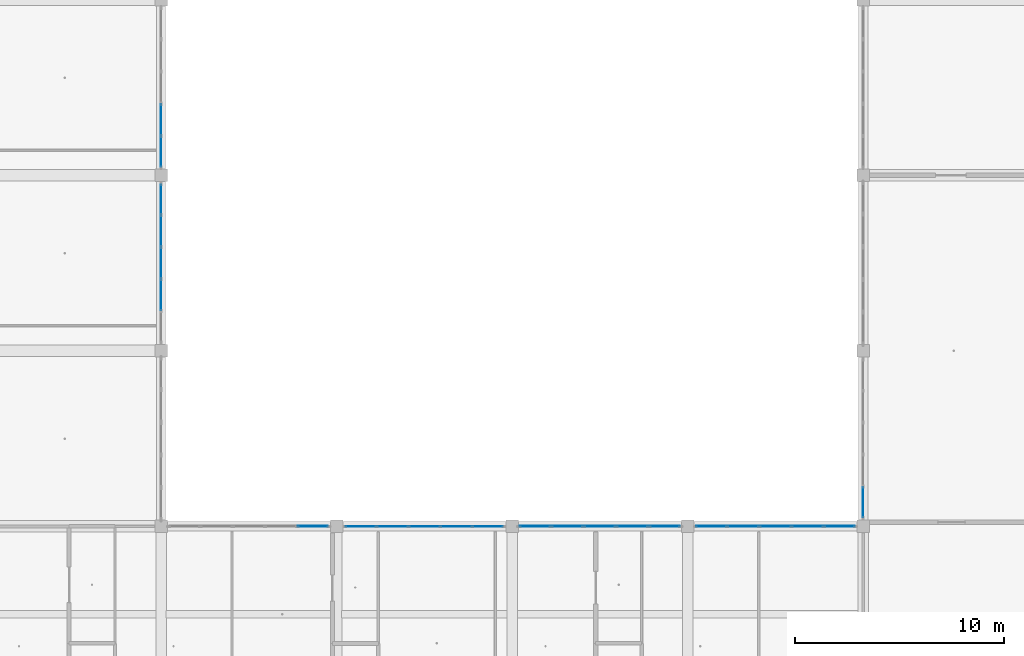
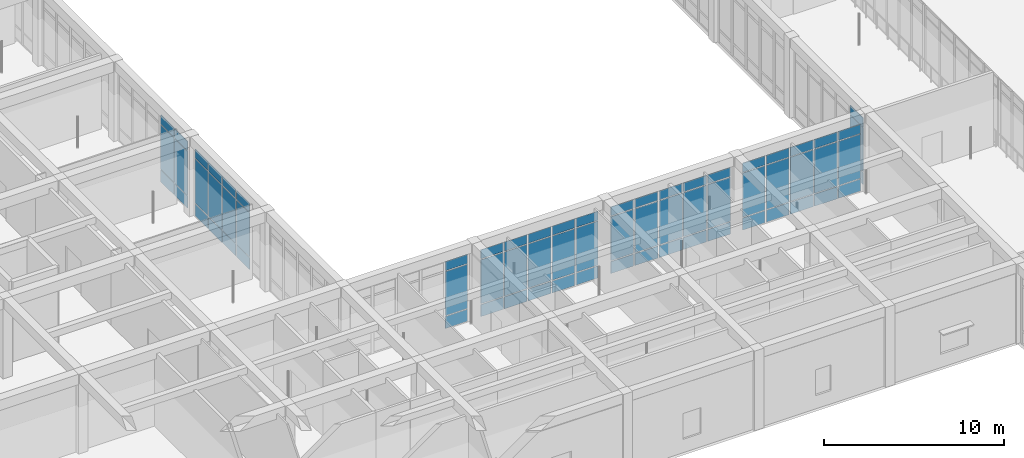
# One storey, part 56 of 157: 69 plates, 7 elements without a shape of their own.
"""IFC4 building model written with IfcOpenShell, lengths in metres."""

from ifc_helpers import new_model, si_unit, direction, frame, origin, origin_2d, place, context, subcontext, project, spatial, rectangle, extrude, material, layer, layer_set, type_object, element, aggregate, save


model = new_model("IFC4")

# Units and contexts
model_context = context("Model", 3, precision=1e-05, world=origin(), true_north=direction((0.0, 1.0)))
body_context = subcontext(model_context, "Body", "Model", "MODEL_VIEW")
ifc_project = project(units=[si_unit("LENGTHUNIT", "METRE"), si_unit("AREAUNIT", "SQUARE_METRE"), si_unit("VOLUMEUNIT", "CUBIC_METRE"), si_unit("PLANEANGLEUNIT", "RADIAN"), si_unit("MASSUNIT", "GRAM", prefix="KILO")], contexts=[model_context])

# Site, building, storey
site_placement = place(None, origin())
site = spatial("IfcSite", under=ifc_project, at=site_placement, CompositionType="ELEMENT")
building_placement = place(site_placement, origin())
building = spatial("IfcBuilding", under=site, at=building_placement, Name="Varncliffe General Hospital", CompositionType="ELEMENT")
storey_placement = place(building_placement, frame((0.0, 0.0, 5.39990234375)))
storey = spatial("IfcBuildingStorey", under=building, at=storey_placement, Name="L01", CompositionType="ELEMENT", Elevation=5.39990234375)

# Curtain wall, plates
ifc_material = material(Name="Triple low-E argon insulated vision glazing", Category="glass")
curtain_wall_type_1 = type_object("IfcCurtainWallType", Name="Unitised Glazed Curtain Wall CW70 (7724x4640)", PredefinedType="USERDEFINED", material=ifc_material)
curtain_wall_1_placement = place(storey_placement, origin())
curtain_wall_1 = element("IfcCurtainWall", 1, at=curtain_wall_1_placement, inside=storey, type_object=curtain_wall_type_1, Name="L01 Glazed Curtain Wall CW70-79", ObjectType="GLAZED CURTAIN WALL", PredefinedType="USERDEFINED")
ifc_layer_1 = layer(ifc_material, 0.0439453125)
ifc_layer_set_1 = layer_set([ifc_layer_1], Name="Triple low-E argon insulated vision glazing")
plate_type_1 = type_object("IfcPlateType", Name="Curtain Wall Glazing Panel CP12 (44mm)", PredefinedType="CURTAIN_PANEL", material=ifc_layer_set_1)
plate_1_placement = place(storey_placement, frame((25.199951171875, 60.255126953125, 0.06005859375), z_axis=(0.0, 0.0, 1.0), x_axis=(0.0, -1.0, 0.0)))
plate_1 = element("IfcPlate", 2, at=plate_1_placement, type_object=plate_type_1, Name="CW70 panel 4.1", PredefinedType="CURTAIN_PANEL", context=body_context, shape_type="SweptSolid", body=[
    extrude(rectangle(XDim=1.4697265625, YDim=0.0439453125, at=origin_2d()), origin(), (0.0, 0.0, 1.0), 0.81005859375),
])
plate_2_placement = place(storey_placement, frame((25.199951171875, 60.255126953125, 0.93017578125), z_axis=(0.0, 0.0, 1.0), x_axis=(0.0, -1.0, 0.0)))
plate_2 = element("IfcPlate", 3, at=plate_2_placement, type_object=plate_type_1, Name="CW70 panel 4.2", PredefinedType="CURTAIN_PANEL", context=body_context, shape_type="SweptSolid", body=[
    extrude(rectangle(XDim=1.4697265625, YDim=0.0439453125, at=origin_2d()), origin(), (0.0, 0.0, 1.0), 2.97998046875),
])
plate_3_placement = place(storey_placement, frame((25.199951171875, 60.255126953125, 3.97021484375), z_axis=(0.0, 0.0, 1.0), x_axis=(0.0, -1.0, 0.0)))
plate_3 = element("IfcPlate", 4, at=plate_3_placement, type_object=plate_type_1, Name="CW70 panel 4.3", PredefinedType="CURTAIN_PANEL", context=body_context, shape_type="SweptSolid", body=[
    extrude(rectangle(XDim=1.4697265625, YDim=0.0439453125, at=origin_2d()), origin(), (0.0, 0.0, 1.0), 0.610107421875),
])
plate_4_placement = place(storey_placement, frame((25.199951171875, 58.729248046875, 0.06005859375), z_axis=(0.0, 0.0, 1.0), x_axis=(0.0, -1.0, 0.0)))
plate_4 = element("IfcPlate", 5, at=plate_4_placement, type_object=plate_type_1, Name="CW70 panel 5.1", PredefinedType="CURTAIN_PANEL", context=body_context, shape_type="SweptSolid", body=[
    extrude(rectangle(XDim=1.432373046875, YDim=0.0439453125, at=origin_2d()), origin(), (0.0, 0.0, 1.0), 0.81005859375),
])
plate_5_placement = place(storey_placement, frame((25.199951171875, 58.729248046875, 0.93017578125), z_axis=(0.0, 0.0, 1.0), x_axis=(0.0, -1.0, 0.0)))
plate_5 = element("IfcPlate", 6, at=plate_5_placement, type_object=plate_type_1, Name="CW70 panel 5.2", PredefinedType="CURTAIN_PANEL", context=body_context, shape_type="SweptSolid", body=[
    extrude(rectangle(XDim=1.432373046875, YDim=0.0439453125, at=origin_2d()), origin(), (0.0, 0.0, 1.0), 2.97998046875),
])
plate_6_placement = place(storey_placement, frame((25.199951171875, 58.729248046875, 3.97021484375), z_axis=(0.0, 0.0, 1.0), x_axis=(0.0, -1.0, 0.0)))
plate_6 = element("IfcPlate", 7, at=plate_6_placement, type_object=plate_type_1, Name="CW70 panel 5.3", PredefinedType="CURTAIN_PANEL", context=body_context, shape_type="SweptSolid", body=[
    extrude(rectangle(XDim=1.432373046875, YDim=0.0439453125, at=origin_2d()), origin(), (0.0, 0.0, 1.0), 0.610107421875),
])
aggregate(curtain_wall_1, [plate_1, plate_2, plate_3, plate_4, plate_5, plate_6])

curtain_wall_2_placement = place(storey_placement, origin())
curtain_wall_2 = element("IfcCurtainWall", 8, at=curtain_wall_2_placement, inside=storey, type_object=curtain_wall_type_1, Name="L01 Glazed Curtain Wall CW70-82", ObjectType="GLAZED CURTAIN WALL", PredefinedType="USERDEFINED")
plate_7_placement = place(storey_placement, frame((32.470947265625, 40.800048828125, 0.06005859375), z_axis=(0.0, 0.0, 1.0), x_axis=(1.0, 0.0, 0.0)))
plate_7 = element("IfcPlate", 9, at=plate_7_placement, type_object=plate_type_1, Name="CW70 panel 5.1", PredefinedType="CURTAIN_PANEL", context=body_context, shape_type="SweptSolid", body=[
    extrude(rectangle(XDim=1.432373046875, YDim=0.0439453125, at=origin_2d()), origin(), (0.0, 0.0, 1.0), 0.81005859375),
])
plate_8_placement = place(storey_placement, frame((32.470947265625, 40.800048828125, 0.93017578125), z_axis=(0.0, 0.0, 1.0), x_axis=(1.0, 0.0, 0.0)))
plate_8 = element("IfcPlate", 10, at=plate_8_placement, type_object=plate_type_1, Name="CW70 panel 5.2", PredefinedType="CURTAIN_PANEL", context=body_context, shape_type="SweptSolid", body=[
    extrude(rectangle(XDim=1.432373046875, YDim=0.0439453125, at=origin_2d()), origin(), (0.0, 0.0, 1.0), 2.97998046875),
])
plate_9_placement = place(storey_placement, frame((32.470947265625, 40.800048828125, 3.97021484375), z_axis=(0.0, 0.0, 1.0), x_axis=(1.0, 0.0, 0.0)))
plate_9 = element("IfcPlate", 11, at=plate_9_placement, type_object=plate_type_1, Name="CW70 panel 5.3", PredefinedType="CURTAIN_PANEL", context=body_context, shape_type="SweptSolid", body=[
    extrude(rectangle(XDim=1.432373046875, YDim=0.0439453125, at=origin_2d()), origin(), (0.0, 0.0, 1.0), 0.610107421875),
])
aggregate(curtain_wall_2, [plate_7, plate_8, plate_9])

curtain_wall_3_placement = place(storey_placement, origin())
curtain_wall_3 = element("IfcCurtainWall", 12, at=curtain_wall_3_placement, inside=storey, type_object=curtain_wall_type_1, Name="L01 Glazed Curtain Wall CW70-85", ObjectType="GLAZED CURTAIN WALL", PredefinedType="USERDEFINED")
plate_10_placement = place(storey_placement, frame((51.529052734375, 40.800048828125, 0.06005859375), z_axis=(0.0, 0.0, 1.0), x_axis=(1.0, 0.0, 0.0)))
plate_10 = element("IfcPlate", 13, at=plate_10_placement, type_object=plate_type_1, Name="CW70 panel 1.1", PredefinedType="CURTAIN_PANEL", context=body_context, shape_type="SweptSolid", body=[
    extrude(rectangle(XDim=1.432373046875, YDim=0.0439453125, at=origin_2d()), origin(), (0.0, 0.0, 1.0), 0.81005859375),
])
plate_11_placement = place(storey_placement, frame((51.529052734375, 40.800048828125, 0.93017578125), z_axis=(0.0, 0.0, 1.0), x_axis=(1.0, 0.0, 0.0)))
plate_11 = element("IfcPlate", 14, at=plate_11_placement, type_object=plate_type_1, Name="CW70 panel 1.2", PredefinedType="CURTAIN_PANEL", context=body_context, shape_type="SweptSolid", body=[
    extrude(rectangle(XDim=1.432373046875, YDim=0.0439453125, at=origin_2d()), origin(), (0.0, 0.0, 1.0), 2.97998046875),
])
plate_12_placement = place(storey_placement, frame((51.529052734375, 40.800048828125, 3.97021484375), z_axis=(0.0, 0.0, 1.0), x_axis=(1.0, 0.0, 0.0)))
plate_12 = element("IfcPlate", 15, at=plate_12_placement, type_object=plate_type_1, Name="CW70 panel 1.3", PredefinedType="CURTAIN_PANEL", context=body_context, shape_type="SweptSolid", body=[
    extrude(rectangle(XDim=1.432373046875, YDim=0.0439453125, at=origin_2d()), origin(), (0.0, 0.0, 1.0), 0.610107421875),
])
plate_13_placement = place(storey_placement, frame((53.05517578125, 40.800048828125, 0.06005859375), z_axis=(0.0, 0.0, 1.0), x_axis=(1.0, 0.0, 0.0)))
plate_13 = element("IfcPlate", 16, at=plate_13_placement, type_object=plate_type_1, Name="CW70 panel 2.1", PredefinedType="CURTAIN_PANEL", context=body_context, shape_type="SweptSolid", body=[
    extrude(rectangle(XDim=1.4697265625, YDim=0.0439453125, at=origin_2d()), origin(), (0.0, 0.0, 1.0), 0.81005859375),
])
plate_14_placement = place(storey_placement, frame((53.05517578125, 40.800048828125, 0.93017578125), z_axis=(0.0, 0.0, 1.0), x_axis=(1.0, 0.0, 0.0)))
plate_14 = element("IfcPlate", 17, at=plate_14_placement, type_object=plate_type_1, Name="CW70 panel 2.2", PredefinedType="CURTAIN_PANEL", context=body_context, shape_type="SweptSolid", body=[
    extrude(rectangle(XDim=1.4697265625, YDim=0.0439453125, at=origin_2d()), origin(), (0.0, 0.0, 1.0), 2.97998046875),
])
plate_15_placement = place(storey_placement, frame((53.05517578125, 40.800048828125, 3.97021484375), z_axis=(0.0, 0.0, 1.0), x_axis=(1.0, 0.0, 0.0)))
plate_15 = element("IfcPlate", 18, at=plate_15_placement, type_object=plate_type_1, Name="CW70 panel 2.3", PredefinedType="CURTAIN_PANEL", context=body_context, shape_type="SweptSolid", body=[
    extrude(rectangle(XDim=1.4697265625, YDim=0.0439453125, at=origin_2d()), origin(), (0.0, 0.0, 1.0), 0.610107421875),
])
plate_16_placement = place(storey_placement, frame((54.60009765625, 40.800048828125, 0.06005859375), z_axis=(0.0, 0.0, 1.0), x_axis=(1.0, 0.0, 0.0)))
plate_16 = element("IfcPlate", 19, at=plate_16_placement, type_object=plate_type_1, Name="CW70 panel 3.1", PredefinedType="CURTAIN_PANEL", context=body_context, shape_type="SweptSolid", body=[
    extrude(rectangle(XDim=1.4697265625, YDim=0.0439453125, at=origin_2d()), origin(), (0.0, 0.0, 1.0), 0.81005859375),
])
plate_17_placement = place(storey_placement, frame((54.60009765625, 40.800048828125, 0.93017578125), z_axis=(0.0, 0.0, 1.0), x_axis=(1.0, 0.0, 0.0)))
plate_17 = element("IfcPlate", 20, at=plate_17_placement, type_object=plate_type_1, Name="CW70 panel 3.2", PredefinedType="CURTAIN_PANEL", context=body_context, shape_type="SweptSolid", body=[
    extrude(rectangle(XDim=1.4697265625, YDim=0.0439453125, at=origin_2d()), origin(), (0.0, 0.0, 1.0), 2.97998046875),
])
plate_18_placement = place(storey_placement, frame((54.60009765625, 40.800048828125, 3.97021484375), z_axis=(0.0, 0.0, 1.0), x_axis=(1.0, 0.0, 0.0)))
plate_18 = element("IfcPlate", 21, at=plate_18_placement, type_object=plate_type_1, Name="CW70 panel 3.3", PredefinedType="CURTAIN_PANEL", context=body_context, shape_type="SweptSolid", body=[
    extrude(rectangle(XDim=1.4697265625, YDim=0.0439453125, at=origin_2d()), origin(), (0.0, 0.0, 1.0), 0.610107421875),
])
plate_19_placement = place(storey_placement, frame((56.144775390625, 40.800048828125, 0.06005859375), z_axis=(0.0, 0.0, 1.0), x_axis=(1.0, 0.0, 0.0)))
plate_19 = element("IfcPlate", 22, at=plate_19_placement, type_object=plate_type_1, Name="CW70 panel 4.1", PredefinedType="CURTAIN_PANEL", context=body_context, shape_type="SweptSolid", body=[
    extrude(rectangle(XDim=1.4697265625, YDim=0.0439453125, at=origin_2d()), origin(), (0.0, 0.0, 1.0), 0.81005859375),
])
plate_20_placement = place(storey_placement, frame((56.144775390625, 40.800048828125, 0.93017578125), z_axis=(0.0, 0.0, 1.0), x_axis=(1.0, 0.0, 0.0)))
plate_20 = element("IfcPlate", 23, at=plate_20_placement, type_object=plate_type_1, Name="CW70 panel 4.2", PredefinedType="CURTAIN_PANEL", context=body_context, shape_type="SweptSolid", body=[
    extrude(rectangle(XDim=1.4697265625, YDim=0.0439453125, at=origin_2d()), origin(), (0.0, 0.0, 1.0), 2.97998046875),
])
plate_21_placement = place(storey_placement, frame((56.144775390625, 40.800048828125, 3.97021484375), z_axis=(0.0, 0.0, 1.0), x_axis=(1.0, 0.0, 0.0)))
plate_21 = element("IfcPlate", 24, at=plate_21_placement, type_object=plate_type_1, Name="CW70 panel 4.3", PredefinedType="CURTAIN_PANEL", context=body_context, shape_type="SweptSolid", body=[
    extrude(rectangle(XDim=1.4697265625, YDim=0.0439453125, at=origin_2d()), origin(), (0.0, 0.0, 1.0), 0.610107421875),
])
plate_22_placement = place(storey_placement, frame((57.6708984375, 40.800048828125, 0.06005859375), z_axis=(0.0, 0.0, 1.0), x_axis=(1.0, 0.0, 0.0)))
plate_22 = element("IfcPlate", 25, at=plate_22_placement, type_object=plate_type_1, Name="CW70 panel 5.1", PredefinedType="CURTAIN_PANEL", context=body_context, shape_type="SweptSolid", body=[
    extrude(rectangle(XDim=1.432373046875, YDim=0.0439453125, at=origin_2d()), origin(), (0.0, 0.0, 1.0), 0.81005859375),
])
plate_23_placement = place(storey_placement, frame((57.6708984375, 40.800048828125, 0.93017578125), z_axis=(0.0, 0.0, 1.0), x_axis=(1.0, 0.0, 0.0)))
plate_23 = element("IfcPlate", 26, at=plate_23_placement, type_object=plate_type_1, Name="CW70 panel 5.2", PredefinedType="CURTAIN_PANEL", context=body_context, shape_type="SweptSolid", body=[
    extrude(rectangle(XDim=1.432373046875, YDim=0.0439453125, at=origin_2d()), origin(), (0.0, 0.0, 1.0), 2.97998046875),
])
plate_24_placement = place(storey_placement, frame((57.6708984375, 40.800048828125, 3.97021484375), z_axis=(0.0, 0.0, 1.0), x_axis=(1.0, 0.0, 0.0)))
plate_24 = element("IfcPlate", 27, at=plate_24_placement, type_object=plate_type_1, Name="CW70 panel 5.3", PredefinedType="CURTAIN_PANEL", context=body_context, shape_type="SweptSolid", body=[
    extrude(rectangle(XDim=1.432373046875, YDim=0.0439453125, at=origin_2d()), origin(), (0.0, 0.0, 1.0), 0.610107421875),
])
aggregate(curtain_wall_3, [plate_10, plate_11, plate_12, plate_13, plate_14, plate_15, plate_16, plate_17, plate_18, plate_19, plate_20, plate_21, plate_22, plate_23, plate_24])

curtain_wall_type_2 = type_object("IfcCurtainWallType", Name="Unitised Glazed Curtain Wall CW85 (7804x4640)", PredefinedType="USERDEFINED", material=ifc_material)
curtain_wall_4_placement = place(storey_placement, origin())
curtain_wall_4 = element("IfcCurtainWall", 28, at=curtain_wall_4_placement, inside=storey, type_object=curtain_wall_type_2, Name="L01 Glazed Curtain Wall CW85-84", ObjectType="GLAZED CURTAIN WALL", PredefinedType="USERDEFINED")
ifc_layer_2 = layer(ifc_material, 0.035888671875)
ifc_layer_set_2 = layer_set([ifc_layer_2], Name="Triple low-E argon insulated vision glazing")
plate_type_2 = type_object("IfcPlateType", Name="Curtain Wall Glazing Panel CP27 (36mm)", PredefinedType="CURTAIN_PANEL", material=ifc_layer_set_2)
plate_25_placement = place(storey_placement, frame((43.09716796875, 40.800048828125, 0.06494140625), z_axis=(0.0, 0.0, 1.0), x_axis=(1.0, 0.0, 0.0)))
plate_25 = element("IfcPlate", 29, at=plate_25_placement, type_object=plate_type_2, Name="CW85 panel 1.1", PredefinedType="CURTAIN_PANEL", context=body_context, shape_type="SweptSolid", body=[
    extrude(rectangle(XDim=1.4482421875, YDim=0.035888671875, at=origin_2d()), origin(), (0.0, 0.0, 1.0), 0.802490234375),
])
plate_26_placement = place(storey_placement, frame((43.09716796875, 40.800048828125, 0.9326171875), z_axis=(0.0, 0.0, 1.0), x_axis=(1.0, 0.0, 0.0)))
plate_26 = element("IfcPlate", 30, at=plate_26_placement, type_object=plate_type_2, Name="CW85 panel 1.2", PredefinedType="CURTAIN_PANEL", context=body_context, shape_type="SweptSolid", body=[
    extrude(rectangle(XDim=1.4482421875, YDim=0.035888671875, at=origin_2d()), origin(), (0.0, 0.0, 1.0), 2.97509765625),
])
plate_27_placement = place(storey_placement, frame((43.09716796875, 40.800048828125, 3.97265625), z_axis=(0.0, 0.0, 1.0), x_axis=(1.0, 0.0, 0.0)))
plate_27 = element("IfcPlate", 31, at=plate_27_placement, type_object=plate_type_2, Name="CW85 panel 1.3", PredefinedType="CURTAIN_PANEL", context=body_context, shape_type="SweptSolid", body=[
    extrude(rectangle(XDim=1.4482421875, YDim=0.035888671875, at=origin_2d()), origin(), (0.0, 0.0, 1.0), 0.6025390625),
])
plate_28_placement = place(storey_placement, frame((44.63916015625, 40.800048828125, 0.06494140625), z_axis=(0.0, 0.0, 1.0), x_axis=(1.0, 0.0, 0.0)))
plate_28 = element("IfcPlate", 32, at=plate_28_placement, type_object=plate_type_2, Name="CW85 panel 2.1", PredefinedType="CURTAIN_PANEL", context=body_context, shape_type="SweptSolid", body=[
    extrude(rectangle(XDim=1.48583984375, YDim=0.035888671875, at=origin_2d()), origin(), (0.0, 0.0, 1.0), 0.802490234375),
])
plate_29_placement = place(storey_placement, frame((44.63916015625, 40.800048828125, 0.9326171875), z_axis=(0.0, 0.0, 1.0), x_axis=(1.0, 0.0, 0.0)))
plate_29 = element("IfcPlate", 33, at=plate_29_placement, type_object=plate_type_2, Name="CW85 panel 2.2", PredefinedType="CURTAIN_PANEL", context=body_context, shape_type="SweptSolid", body=[
    extrude(rectangle(XDim=1.48583984375, YDim=0.035888671875, at=origin_2d()), origin(), (0.0, 0.0, 1.0), 2.97509765625),
])
plate_30_placement = place(storey_placement, frame((44.63916015625, 40.800048828125, 3.97265625), z_axis=(0.0, 0.0, 1.0), x_axis=(1.0, 0.0, 0.0)))
plate_30 = element("IfcPlate", 34, at=plate_30_placement, type_object=plate_type_2, Name="CW85 panel 2.3", PredefinedType="CURTAIN_PANEL", context=body_context, shape_type="SweptSolid", body=[
    extrude(rectangle(XDim=1.48583984375, YDim=0.035888671875, at=origin_2d()), origin(), (0.0, 0.0, 1.0), 0.6025390625),
])
plate_31_placement = place(storey_placement, frame((46.199951171875, 40.800048828125, 0.06494140625), z_axis=(0.0, 0.0, 1.0), x_axis=(1.0, 0.0, 0.0)))
plate_31 = element("IfcPlate", 35, at=plate_31_placement, type_object=plate_type_2, Name="CW85 panel 3.1", PredefinedType="CURTAIN_PANEL", context=body_context, shape_type="SweptSolid", body=[
    extrude(rectangle(XDim=1.48583984375, YDim=0.035888671875, at=origin_2d()), origin(), (0.0, 0.0, 1.0), 0.802490234375),
])
plate_32_placement = place(storey_placement, frame((46.199951171875, 40.800048828125, 0.9326171875), z_axis=(0.0, 0.0, 1.0), x_axis=(1.0, 0.0, 0.0)))
plate_32 = element("IfcPlate", 36, at=plate_32_placement, type_object=plate_type_2, Name="CW85 panel 3.2", PredefinedType="CURTAIN_PANEL", context=body_context, shape_type="SweptSolid", body=[
    extrude(rectangle(XDim=1.48583984375, YDim=0.035888671875, at=origin_2d()), origin(), (0.0, 0.0, 1.0), 2.97509765625),
])
plate_33_placement = place(storey_placement, frame((46.199951171875, 40.800048828125, 3.97265625), z_axis=(0.0, 0.0, 1.0), x_axis=(1.0, 0.0, 0.0)))
plate_33 = element("IfcPlate", 37, at=plate_33_placement, type_object=plate_type_2, Name="CW85 panel 3.3", PredefinedType="CURTAIN_PANEL", context=body_context, shape_type="SweptSolid", body=[
    extrude(rectangle(XDim=1.48583984375, YDim=0.035888671875, at=origin_2d()), origin(), (0.0, 0.0, 1.0), 0.6025390625),
])
plate_34_placement = place(storey_placement, frame((47.7607421875, 40.800048828125, 0.06494140625), z_axis=(0.0, 0.0, 1.0), x_axis=(1.0, 0.0, 0.0)))
plate_34 = element("IfcPlate", 38, at=plate_34_placement, type_object=plate_type_2, Name="CW85 panel 4.1", PredefinedType="CURTAIN_PANEL", context=body_context, shape_type="SweptSolid", body=[
    extrude(rectangle(XDim=1.48583984375, YDim=0.035888671875, at=origin_2d()), origin(), (0.0, 0.0, 1.0), 0.802490234375),
])
plate_35_placement = place(storey_placement, frame((47.7607421875, 40.800048828125, 0.9326171875), z_axis=(0.0, 0.0, 1.0), x_axis=(1.0, 0.0, 0.0)))
plate_35 = element("IfcPlate", 39, at=plate_35_placement, type_object=plate_type_2, Name="CW85 panel 4.2", PredefinedType="CURTAIN_PANEL", context=body_context, shape_type="SweptSolid", body=[
    extrude(rectangle(XDim=1.48583984375, YDim=0.035888671875, at=origin_2d()), origin(), (0.0, 0.0, 1.0), 2.97509765625),
])
plate_36_placement = place(storey_placement, frame((47.7607421875, 40.800048828125, 3.97265625), z_axis=(0.0, 0.0, 1.0), x_axis=(1.0, 0.0, 0.0)))
plate_36 = element("IfcPlate", 40, at=plate_36_placement, type_object=plate_type_2, Name="CW85 panel 4.3", PredefinedType="CURTAIN_PANEL", context=body_context, shape_type="SweptSolid", body=[
    extrude(rectangle(XDim=1.48583984375, YDim=0.035888671875, at=origin_2d()), origin(), (0.0, 0.0, 1.0), 0.6025390625),
])
plate_37_placement = place(storey_placement, frame((49.302734375, 40.800048828125, 0.06494140625), z_axis=(0.0, 0.0, 1.0), x_axis=(1.0, 0.0, 0.0)))
plate_37 = element("IfcPlate", 41, at=plate_37_placement, type_object=plate_type_2, Name="CW85 panel 5.1", PredefinedType="CURTAIN_PANEL", context=body_context, shape_type="SweptSolid", body=[
    extrude(rectangle(XDim=1.4482421875, YDim=0.035888671875, at=origin_2d()), origin(), (0.0, 0.0, 1.0), 0.802490234375),
])
plate_38_placement = place(storey_placement, frame((49.302734375, 40.800048828125, 0.9326171875), z_axis=(0.0, 0.0, 1.0), x_axis=(1.0, 0.0, 0.0)))
plate_38 = element("IfcPlate", 42, at=plate_38_placement, type_object=plate_type_2, Name="CW85 panel 5.2", PredefinedType="CURTAIN_PANEL", context=body_context, shape_type="SweptSolid", body=[
    extrude(rectangle(XDim=1.4482421875, YDim=0.035888671875, at=origin_2d()), origin(), (0.0, 0.0, 1.0), 2.97509765625),
])
plate_39_placement = place(storey_placement, frame((49.302734375, 40.800048828125, 3.97265625), z_axis=(0.0, 0.0, 1.0), x_axis=(1.0, 0.0, 0.0)))
plate_39 = element("IfcPlate", 43, at=plate_39_placement, type_object=plate_type_2, Name="CW85 panel 5.3", PredefinedType="CURTAIN_PANEL", context=body_context, shape_type="SweptSolid", body=[
    extrude(rectangle(XDim=1.4482421875, YDim=0.035888671875, at=origin_2d()), origin(), (0.0, 0.0, 1.0), 0.6025390625),
])
aggregate(curtain_wall_4, [plate_25, plate_26, plate_27, plate_28, plate_29, plate_30, plate_31, plate_32, plate_33, plate_34, plate_35, plate_36, plate_37, plate_38, plate_39])

curtain_wall_type_3 = type_object("IfcCurtainWallType", Name="Unitised Glazed Curtain Wall CW27 (7644x4640)", PredefinedType="USERDEFINED", material=ifc_material)
curtain_wall_5_placement = place(storey_placement, origin())
curtain_wall_5 = element("IfcCurtainWall", 44, at=curtain_wall_5_placement, inside=storey, type_object=curtain_wall_type_3, Name="L01 Glazed Curtain Wall CW27-80", ObjectType="GLAZED CURTAIN WALL", PredefinedType="USERDEFINED")
ifc_layer_3 = layer(ifc_material, 0.028076171875)
ifc_layer_set_3 = layer_set([ifc_layer_3], Name="Triple low-E argon insulated vision glazing")
plate_type_3 = type_object("IfcPlateType", Name="Curtain Wall Glazing Panel CP48 (28mm)", PredefinedType="CURTAIN_PANEL", material=ifc_layer_set_3)
plate_40_placement = place(storey_placement, frame((25.199951171875, 56.44140625, 0.06005859375), z_axis=(0.0, 0.0, 1.0), x_axis=(0.0, -1.0, 0.0)))
plate_40 = element("IfcPlate", 45, at=plate_40_placement, type_object=plate_type_3, Name="CW27 panel 1.1", PredefinedType="CURTAIN_PANEL", context=body_context, shape_type="SweptSolid", body=[
    extrude(rectangle(XDim=1.431396484375, YDim=0.028076171875, at=origin_2d()), origin(), (0.0, 0.0, 1.0), 0.81005859375),
])
plate_41_placement = place(storey_placement, frame((25.199951171875, 56.44140625, 0.93017578125), z_axis=(0.0, 0.0, 1.0), x_axis=(0.0, -1.0, 0.0)))
plate_41 = element("IfcPlate", 46, at=plate_41_placement, type_object=plate_type_3, Name="CW27 panel 1.2", PredefinedType="CURTAIN_PANEL", context=body_context, shape_type="SweptSolid", body=[
    extrude(rectangle(XDim=1.431396484375, YDim=0.028076171875, at=origin_2d()), origin(), (0.0, 0.0, 1.0), 2.97998046875),
])
plate_42_placement = place(storey_placement, frame((25.199951171875, 56.44140625, 3.97021484375), z_axis=(0.0, 0.0, 1.0), x_axis=(0.0, -1.0, 0.0)))
plate_42 = element("IfcPlate", 47, at=plate_42_placement, type_object=plate_type_3, Name="CW27 panel 1.3", PredefinedType="CURTAIN_PANEL", context=body_context, shape_type="SweptSolid", body=[
    extrude(rectangle(XDim=1.431396484375, YDim=0.028076171875, at=origin_2d()), origin(), (0.0, 0.0, 1.0), 0.610107421875),
])
plate_43_placement = place(storey_placement, frame((25.199951171875, 54.9287109375, 0.06005859375), z_axis=(0.0, 0.0, 1.0), x_axis=(0.0, -1.0, 0.0)))
plate_43 = element("IfcPlate", 48, at=plate_43_placement, type_object=plate_type_3, Name="CW27 panel 2.1", PredefinedType="CURTAIN_PANEL", context=body_context, shape_type="SweptSolid", body=[
    extrude(rectangle(XDim=1.4638671875, YDim=0.028076171875, at=origin_2d()), origin(), (0.0, 0.0, 1.0), 0.81005859375),
])
plate_44_placement = place(storey_placement, frame((25.199951171875, 54.9287109375, 0.93017578125), z_axis=(0.0, 0.0, 1.0), x_axis=(0.0, -1.0, 0.0)))
plate_44 = element("IfcPlate", 49, at=plate_44_placement, type_object=plate_type_3, Name="CW27 panel 2.2", PredefinedType="CURTAIN_PANEL", context=body_context, shape_type="SweptSolid", body=[
    extrude(rectangle(XDim=1.4638671875, YDim=0.028076171875, at=origin_2d()), origin(), (0.0, 0.0, 1.0), 2.97998046875),
])
plate_45_placement = place(storey_placement, frame((25.199951171875, 54.9287109375, 3.97021484375), z_axis=(0.0, 0.0, 1.0), x_axis=(0.0, -1.0, 0.0)))
plate_45 = element("IfcPlate", 50, at=plate_45_placement, type_object=plate_type_3, Name="CW27 panel 2.3", PredefinedType="CURTAIN_PANEL", context=body_context, shape_type="SweptSolid", body=[
    extrude(rectangle(XDim=1.4638671875, YDim=0.028076171875, at=origin_2d()), origin(), (0.0, 0.0, 1.0), 0.610107421875),
])
plate_46_placement = place(storey_placement, frame((25.199951171875, 53.39990234375, 0.06005859375), z_axis=(0.0, 0.0, 1.0), x_axis=(0.0, -1.0, 0.0)))
plate_46 = element("IfcPlate", 51, at=plate_46_placement, type_object=plate_type_3, Name="CW27 panel 3.1", PredefinedType="CURTAIN_PANEL", context=body_context, shape_type="SweptSolid", body=[
    extrude(rectangle(XDim=1.4638671875, YDim=0.028076171875, at=origin_2d()), origin(), (0.0, 0.0, 1.0), 0.81005859375),
])
plate_47_placement = place(storey_placement, frame((25.199951171875, 53.39990234375, 0.93017578125), z_axis=(0.0, 0.0, 1.0), x_axis=(0.0, -1.0, 0.0)))
plate_47 = element("IfcPlate", 52, at=plate_47_placement, type_object=plate_type_3, Name="CW27 panel 3.2", PredefinedType="CURTAIN_PANEL", context=body_context, shape_type="SweptSolid", body=[
    extrude(rectangle(XDim=1.4638671875, YDim=0.028076171875, at=origin_2d()), origin(), (0.0, 0.0, 1.0), 2.97998046875),
])
plate_48_placement = place(storey_placement, frame((25.199951171875, 53.39990234375, 3.97021484375), z_axis=(0.0, 0.0, 1.0), x_axis=(0.0, -1.0, 0.0)))
plate_48 = element("IfcPlate", 53, at=plate_48_placement, type_object=plate_type_3, Name="CW27 panel 3.3", PredefinedType="CURTAIN_PANEL", context=body_context, shape_type="SweptSolid", body=[
    extrude(rectangle(XDim=1.4638671875, YDim=0.028076171875, at=origin_2d()), origin(), (0.0, 0.0, 1.0), 0.610107421875),
])
plate_49_placement = place(storey_placement, frame((25.199951171875, 51.87109375, 0.06005859375), z_axis=(0.0, 0.0, 1.0), x_axis=(0.0, -1.0, 0.0)))
plate_49 = element("IfcPlate", 54, at=plate_49_placement, type_object=plate_type_3, Name="CW27 panel 4.1", PredefinedType="CURTAIN_PANEL", context=body_context, shape_type="SweptSolid", body=[
    extrude(rectangle(XDim=1.4638671875, YDim=0.028076171875, at=origin_2d()), origin(), (0.0, 0.0, 1.0), 0.81005859375),
])
plate_50_placement = place(storey_placement, frame((25.199951171875, 51.87109375, 0.93017578125), z_axis=(0.0, 0.0, 1.0), x_axis=(0.0, -1.0, 0.0)))
plate_50 = element("IfcPlate", 55, at=plate_50_placement, type_object=plate_type_3, Name="CW27 panel 4.2", PredefinedType="CURTAIN_PANEL", context=body_context, shape_type="SweptSolid", body=[
    extrude(rectangle(XDim=1.4638671875, YDim=0.028076171875, at=origin_2d()), origin(), (0.0, 0.0, 1.0), 2.97998046875),
])
plate_51_placement = place(storey_placement, frame((25.199951171875, 51.87109375, 3.97021484375), z_axis=(0.0, 0.0, 1.0), x_axis=(0.0, -1.0, 0.0)))
plate_51 = element("IfcPlate", 56, at=plate_51_placement, type_object=plate_type_3, Name="CW27 panel 4.3", PredefinedType="CURTAIN_PANEL", context=body_context, shape_type="SweptSolid", body=[
    extrude(rectangle(XDim=1.4638671875, YDim=0.028076171875, at=origin_2d()), origin(), (0.0, 0.0, 1.0), 0.610107421875),
])
aggregate(curtain_wall_5, [plate_40, plate_41, plate_42, plate_43, plate_44, plate_45, plate_46, plate_47, plate_48, plate_49, plate_50, plate_51])

curtain_wall_6_placement = place(storey_placement, origin())
curtain_wall_6 = element("IfcCurtainWall", 57, at=curtain_wall_6_placement, inside=storey, type_object=curtain_wall_type_3, Name="L01 Glazed Curtain Wall CW27-83", ObjectType="GLAZED CURTAIN WALL", PredefinedType="USERDEFINED")
plate_52_placement = place(storey_placement, frame((34.758544921875, 40.800048828125, 0.06005859375), z_axis=(0.0, 0.0, 1.0), x_axis=(1.0, 0.0, 0.0)))
plate_52 = element("IfcPlate", 58, at=plate_52_placement, type_object=plate_type_3, Name="CW27 panel 1.1", PredefinedType="CURTAIN_PANEL", context=body_context, shape_type="SweptSolid", body=[
    extrude(rectangle(XDim=1.431396484375, YDim=0.028076171875, at=origin_2d()), origin(), (0.0, 0.0, 1.0), 0.81005859375),
])
plate_53_placement = place(storey_placement, frame((34.758544921875, 40.800048828125, 0.93017578125), z_axis=(0.0, 0.0, 1.0), x_axis=(1.0, 0.0, 0.0)))
plate_53 = element("IfcPlate", 59, at=plate_53_placement, type_object=plate_type_3, Name="CW27 panel 1.2", PredefinedType="CURTAIN_PANEL", context=body_context, shape_type="SweptSolid", body=[
    extrude(rectangle(XDim=1.431396484375, YDim=0.028076171875, at=origin_2d()), origin(), (0.0, 0.0, 1.0), 2.97998046875),
])
plate_54_placement = place(storey_placement, frame((34.758544921875, 40.800048828125, 3.97021484375), z_axis=(0.0, 0.0, 1.0), x_axis=(1.0, 0.0, 0.0)))
plate_54 = element("IfcPlate", 60, at=plate_54_placement, type_object=plate_type_3, Name="CW27 panel 1.3", PredefinedType="CURTAIN_PANEL", context=body_context, shape_type="SweptSolid", body=[
    extrude(rectangle(XDim=1.431396484375, YDim=0.028076171875, at=origin_2d()), origin(), (0.0, 0.0, 1.0), 0.610107421875),
])
plate_55_placement = place(storey_placement, frame((36.271240234375, 40.800048828125, 0.06005859375), z_axis=(0.0, 0.0, 1.0), x_axis=(1.0, 0.0, 0.0)))
plate_55 = element("IfcPlate", 61, at=plate_55_placement, type_object=plate_type_3, Name="CW27 panel 2.1", PredefinedType="CURTAIN_PANEL", context=body_context, shape_type="SweptSolid", body=[
    extrude(rectangle(XDim=1.4638671875, YDim=0.028076171875, at=origin_2d()), origin(), (0.0, 0.0, 1.0), 0.81005859375),
])
plate_56_placement = place(storey_placement, frame((36.271240234375, 40.800048828125, 0.93017578125), z_axis=(0.0, 0.0, 1.0), x_axis=(1.0, 0.0, 0.0)))
plate_56 = element("IfcPlate", 62, at=plate_56_placement, type_object=plate_type_3, Name="CW27 panel 2.2", PredefinedType="CURTAIN_PANEL", context=body_context, shape_type="SweptSolid", body=[
    extrude(rectangle(XDim=1.4638671875, YDim=0.028076171875, at=origin_2d()), origin(), (0.0, 0.0, 1.0), 2.97998046875),
])
plate_57_placement = place(storey_placement, frame((36.271240234375, 40.800048828125, 3.97021484375), z_axis=(0.0, 0.0, 1.0), x_axis=(1.0, 0.0, 0.0)))
plate_57 = element("IfcPlate", 63, at=plate_57_placement, type_object=plate_type_3, Name="CW27 panel 2.3", PredefinedType="CURTAIN_PANEL", context=body_context, shape_type="SweptSolid", body=[
    extrude(rectangle(XDim=1.4638671875, YDim=0.028076171875, at=origin_2d()), origin(), (0.0, 0.0, 1.0), 0.610107421875),
])
plate_58_placement = place(storey_placement, frame((37.800048828125, 40.800048828125, 0.06005859375), z_axis=(0.0, 0.0, 1.0), x_axis=(1.0, 0.0, 0.0)))
plate_58 = element("IfcPlate", 64, at=plate_58_placement, type_object=plate_type_3, Name="CW27 panel 3.1", PredefinedType="CURTAIN_PANEL", context=body_context, shape_type="SweptSolid", body=[
    extrude(rectangle(XDim=1.4638671875, YDim=0.028076171875, at=origin_2d()), origin(), (0.0, 0.0, 1.0), 0.81005859375),
])
plate_59_placement = place(storey_placement, frame((37.800048828125, 40.800048828125, 0.93017578125), z_axis=(0.0, 0.0, 1.0), x_axis=(1.0, 0.0, 0.0)))
plate_59 = element("IfcPlate", 65, at=plate_59_placement, type_object=plate_type_3, Name="CW27 panel 3.2", PredefinedType="CURTAIN_PANEL", context=body_context, shape_type="SweptSolid", body=[
    extrude(rectangle(XDim=1.4638671875, YDim=0.028076171875, at=origin_2d()), origin(), (0.0, 0.0, 1.0), 2.97998046875),
])
plate_60_placement = place(storey_placement, frame((37.800048828125, 40.800048828125, 3.97021484375), z_axis=(0.0, 0.0, 1.0), x_axis=(1.0, 0.0, 0.0)))
plate_60 = element("IfcPlate", 66, at=plate_60_placement, type_object=plate_type_3, Name="CW27 panel 3.3", PredefinedType="CURTAIN_PANEL", context=body_context, shape_type="SweptSolid", body=[
    extrude(rectangle(XDim=1.4638671875, YDim=0.028076171875, at=origin_2d()), origin(), (0.0, 0.0, 1.0), 0.610107421875),
])
plate_61_placement = place(storey_placement, frame((39.328857421875, 40.800048828125, 0.06005859375), z_axis=(0.0, 0.0, 1.0), x_axis=(1.0, 0.0, 0.0)))
plate_61 = element("IfcPlate", 67, at=plate_61_placement, type_object=plate_type_3, Name="CW27 panel 4.1", PredefinedType="CURTAIN_PANEL", context=body_context, shape_type="SweptSolid", body=[
    extrude(rectangle(XDim=1.4638671875, YDim=0.028076171875, at=origin_2d()), origin(), (0.0, 0.0, 1.0), 0.81005859375),
])
plate_62_placement = place(storey_placement, frame((39.328857421875, 40.800048828125, 0.93017578125), z_axis=(0.0, 0.0, 1.0), x_axis=(1.0, 0.0, 0.0)))
plate_62 = element("IfcPlate", 68, at=plate_62_placement, type_object=plate_type_3, Name="CW27 panel 4.2", PredefinedType="CURTAIN_PANEL", context=body_context, shape_type="SweptSolid", body=[
    extrude(rectangle(XDim=1.4638671875, YDim=0.028076171875, at=origin_2d()), origin(), (0.0, 0.0, 1.0), 2.97998046875),
])
plate_63_placement = place(storey_placement, frame((39.328857421875, 40.800048828125, 3.97021484375), z_axis=(0.0, 0.0, 1.0), x_axis=(1.0, 0.0, 0.0)))
plate_63 = element("IfcPlate", 69, at=plate_63_placement, type_object=plate_type_3, Name="CW27 panel 4.3", PredefinedType="CURTAIN_PANEL", context=body_context, shape_type="SweptSolid", body=[
    extrude(rectangle(XDim=1.4638671875, YDim=0.028076171875, at=origin_2d()), origin(), (0.0, 0.0, 1.0), 0.610107421875),
])
plate_64_placement = place(storey_placement, frame((40.84130859375, 40.800048828125, 0.06005859375), z_axis=(0.0, 0.0, 1.0), x_axis=(1.0, 0.0, 0.0)))
plate_64 = element("IfcPlate", 70, at=plate_64_placement, type_object=plate_type_3, Name="CW27 panel 5.1", PredefinedType="CURTAIN_PANEL", context=body_context, shape_type="SweptSolid", body=[
    extrude(rectangle(XDim=1.431396484375, YDim=0.028076171875, at=origin_2d()), origin(), (0.0, 0.0, 1.0), 0.81005859375),
])
plate_65_placement = place(storey_placement, frame((40.84130859375, 40.800048828125, 0.93017578125), z_axis=(0.0, 0.0, 1.0), x_axis=(1.0, 0.0, 0.0)))
plate_65 = element("IfcPlate", 71, at=plate_65_placement, type_object=plate_type_3, Name="CW27 panel 5.2", PredefinedType="CURTAIN_PANEL", context=body_context, shape_type="SweptSolid", body=[
    extrude(rectangle(XDim=1.431396484375, YDim=0.028076171875, at=origin_2d()), origin(), (0.0, 0.0, 1.0), 2.97998046875),
])
plate_66_placement = place(storey_placement, frame((40.84130859375, 40.800048828125, 3.97021484375), z_axis=(0.0, 0.0, 1.0), x_axis=(1.0, 0.0, 0.0)))
plate_66 = element("IfcPlate", 72, at=plate_66_placement, type_object=plate_type_3, Name="CW27 panel 5.3", PredefinedType="CURTAIN_PANEL", context=body_context, shape_type="SweptSolid", body=[
    extrude(rectangle(XDim=1.431396484375, YDim=0.028076171875, at=origin_2d()), origin(), (0.0, 0.0, 1.0), 0.610107421875),
])
aggregate(curtain_wall_6, [plate_52, plate_53, plate_54, plate_55, plate_56, plate_57, plate_58, plate_59, plate_60, plate_61, plate_62, plate_63, plate_64, plate_65, plate_66])

curtain_wall_7_placement = place(storey_placement, origin())
curtain_wall_7 = element("IfcCurtainWall", 73, at=curtain_wall_7_placement, inside=storey, type_object=curtain_wall_type_3, Name="L01 Glazed Curtain Wall CW27-86", ObjectType="GLAZED CURTAIN WALL", PredefinedType="USERDEFINED")
plate_67_placement = place(storey_placement, frame((58.800048828125, 41.958740234375, 0.06005859375), z_axis=(0.0, 0.0, 1.0), x_axis=(0.0, 1.0, 0.0)))
plate_67 = element("IfcPlate", 74, at=plate_67_placement, type_object=plate_type_3, Name="CW27 panel 1.1", PredefinedType="CURTAIN_PANEL", context=body_context, shape_type="SweptSolid", body=[
    extrude(rectangle(XDim=1.431396484375, YDim=0.028076171875, at=origin_2d()), origin(), (0.0, 0.0, 1.0), 0.81005859375),
])
plate_68_placement = place(storey_placement, frame((58.800048828125, 41.958740234375, 0.93017578125), z_axis=(0.0, 0.0, 1.0), x_axis=(0.0, 1.0, 0.0)))
plate_68 = element("IfcPlate", 75, at=plate_68_placement, type_object=plate_type_3, Name="CW27 panel 1.2", PredefinedType="CURTAIN_PANEL", context=body_context, shape_type="SweptSolid", body=[
    extrude(rectangle(XDim=1.431396484375, YDim=0.028076171875, at=origin_2d()), origin(), (0.0, 0.0, 1.0), 2.97998046875),
])
plate_69_placement = place(storey_placement, frame((58.800048828125, 41.958740234375, 3.97021484375), z_axis=(0.0, 0.0, 1.0), x_axis=(0.0, 1.0, 0.0)))
plate_69 = element("IfcPlate", 76, at=plate_69_placement, type_object=plate_type_3, Name="CW27 panel 1.3", PredefinedType="CURTAIN_PANEL", context=body_context, shape_type="SweptSolid", body=[
    extrude(rectangle(XDim=1.431396484375, YDim=0.028076171875, at=origin_2d()), origin(), (0.0, 0.0, 1.0), 0.610107421875),
])
aggregate(curtain_wall_7, [plate_67, plate_68, plate_69])

save(model, "model.ifc")
